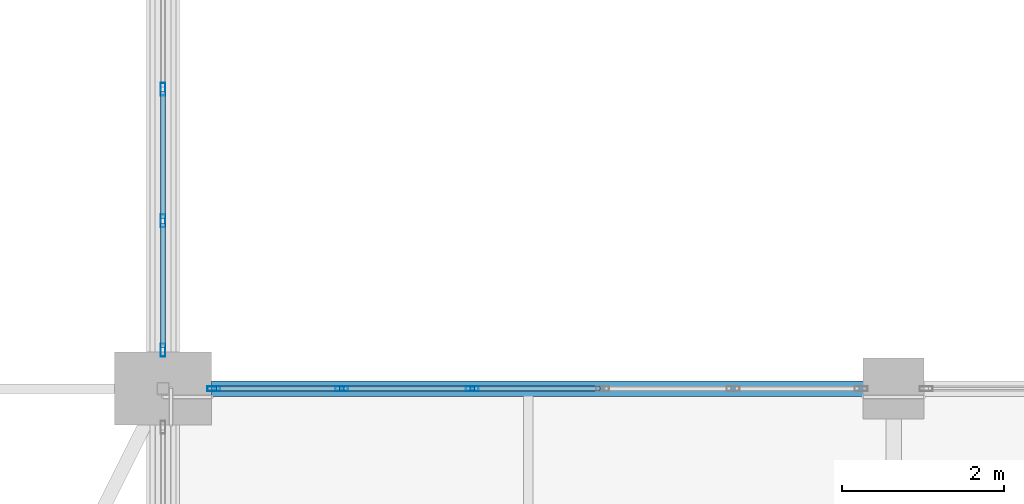
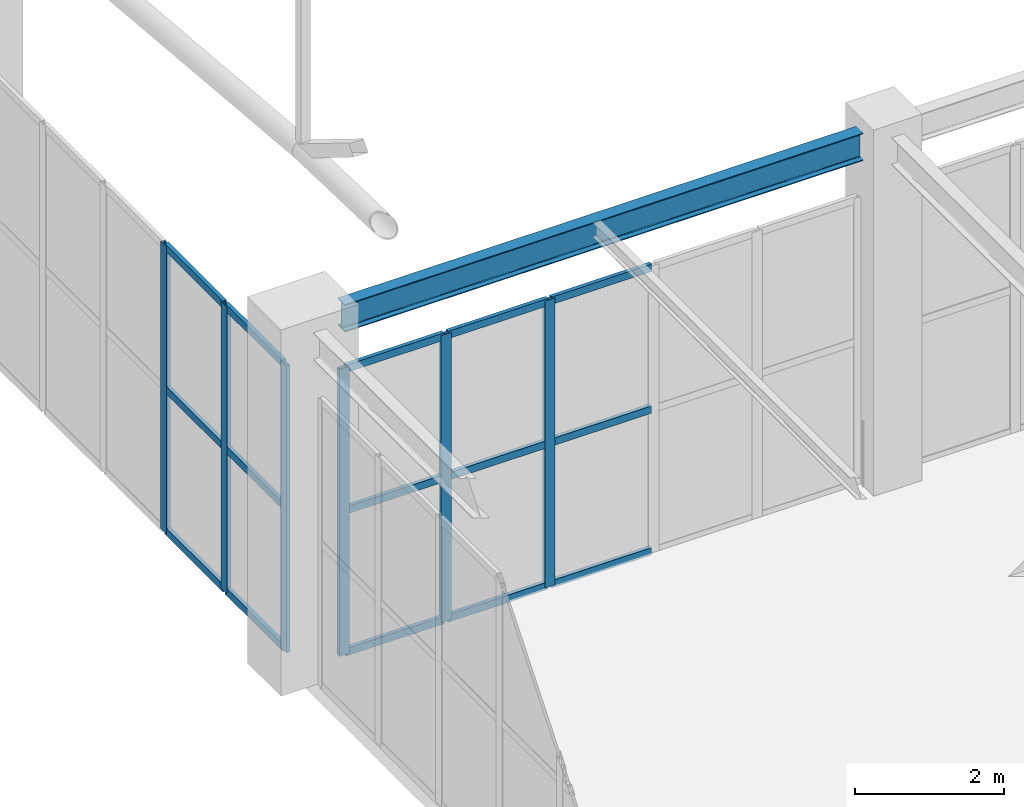
# One storey, part 152 of 223: 21 members, 1 beam, 2 elements without a shape of their own.
"""IFC4 building model written with IfcOpenShell, lengths in metres."""

from ifc_helpers import new_model, si_unit, direction, frame, origin, origin_2d, place, context, subcontext, project, spatial, hollow_rectangle, i_section, extrude, material, layer, layer_set, material_profile, profile_set, type_object, element, aggregate, save


model = new_model("IFC4")

# Units and contexts
model_context = context("Model", 3, precision=1e-05, world=origin(), true_north=direction((0.0, 1.0)))
body_context = subcontext(model_context, "Body", "Model", "MODEL_VIEW")
ifc_project = project(units=[si_unit("LENGTHUNIT", "METRE"), si_unit("AREAUNIT", "SQUARE_METRE"), si_unit("VOLUMEUNIT", "CUBIC_METRE"), si_unit("PLANEANGLEUNIT", "RADIAN"), si_unit("MASSUNIT", "GRAM", prefix="KILO")], contexts=[model_context])

# Site, building, storey
site_placement = place(None, origin())
site = spatial("IfcSite", under=ifc_project, at=site_placement, CompositionType="ELEMENT")
building_placement = place(site_placement, origin())
building = spatial("IfcBuilding", under=site, at=building_placement, Name="Dornveld Trade and Exhibition Forum", CompositionType="ELEMENT")
storey_placement = place(building_placement, frame((0.0, 0.0, 6.0)))
storey = spatial("IfcBuildingStorey", under=building, at=storey_placement, Name="L01", CompositionType="ELEMENT", Elevation=6.0)

# Beam
ifc_material_1 = material(Name="Steel S355J2", Category="steel")
ifc_material_profile_1 = material_profile(ifc_material_1, i_section(OverallWidth=0.18994140625, OverallDepth=0.449951171875, WebThickness=0.009521484375, FlangeThickness=0.0146484375, FilletRadius=0.02099609375, at=origin_2d()), Name="IPE 450")
ifc_profile_set_1 = profile_set([ifc_material_profile_1], Name="Steel S355J2")
beam_type = type_object("IfcBeamType", Name="BM-SEC-450", PredefinedType="BEAM", material=ifc_profile_set_1)
beam_placement = place(storey_placement, frame((171.595947265625, 144.0, 5.554931640625), z_axis=(1.0, 0.0, 0.0), x_axis=(0.0, 1.0, 0.0)))
element("IfcBeam", 1, at=beam_placement, inside=storey, type_object=beam_type, Name="L01 X-girder 1767", PredefinedType="BEAM", context=body_context, shape_type="SweptSolid", body=[
    extrude(i_section(OverallWidth=0.18994140625, OverallDepth=0.449951171875, WebThickness=0.009521484375, FlangeThickness=0.0146484375, FilletRadius=0.02099609375, at=origin_2d()), origin(), (0.0, 0.0, 1.0), 8.032958984375),
])

# Curtain wall, members
ifc_material_2 = material(Name="Dark-bronze anodised aluminium and low-E glass", Category="aluminium")
ifc_layer_1 = layer(ifc_material_2, 0.18701171875)
ifc_layer_set_1 = layer_set([ifc_layer_1], Name="Dark-bronze anodised aluminium and low-E glass")
curtain_wall_type_1 = type_object("IfcCurtainWallType", Name="CW-SYS-15", PredefinedType="USERDEFINED", material=ifc_layer_set_1)
curtain_wall_1_placement = place(storey_placement, origin())
curtain_wall_1 = element("IfcCurtainWall", 2, at=curtain_wall_1_placement, inside=storey, type_object=curtain_wall_type_1, Name="L01 unitised curtain wall 15", ObjectType="UNITISED_CURTAIN_WALL", PredefinedType="USERDEFINED")
ifc_material_3 = material(Name="Dark-bronze anodised aluminium", Category="aluminium")
ifc_material_profile_2 = material_profile(ifc_material_3, hollow_rectangle(XDim=0.06005859375, YDim=0.159912109375, WallThickness=0.00390625, at=origin_2d()), Name="RHS 160x60x4")
ifc_profile_set_2 = profile_set([ifc_material_profile_2], Name="Dark-bronze anodised aluminium")
member_type_1 = type_object("IfcMemberType", Name="CW-MUL-160", PredefinedType="MULLION", material=ifc_profile_set_2)
member_1_placement = place(storey_placement, frame((171.0, 144.47607421875, -0.00390625), z_axis=(0.0, 0.0, 1.0), x_axis=(-1.0, 0.0, 0.0)))
member_1 = element("IfcMember", 3, at=member_1_placement, type_object=member_type_1, Name="CW-15 mullion 1", PredefinedType="MULLION", context=body_context, shape_type="SweptSolid", body=[
    extrude(hollow_rectangle(XDim=0.06005859375, YDim=0.159912109375, WallThickness=0.00390625, at=origin_2d()), origin(), (0.0, 0.0, 1.0), 4.703857421875),
])
member_2_placement = place(storey_placement, frame((171.0, 146.067626953125, -0.00390625), z_axis=(0.0, 0.0, 1.0), x_axis=(-1.0, 0.0, 0.0)))
member_2 = element("IfcMember", 4, at=member_2_placement, type_object=member_type_1, Name="CW-15 mullion 2", PredefinedType="MULLION", context=body_context, shape_type="SweptSolid", body=[
    extrude(hollow_rectangle(XDim=0.06005859375, YDim=0.159912109375, WallThickness=0.00390625, at=origin_2d()), origin(), (0.0, 0.0, 1.0), 4.703857421875),
])
member_3_placement = place(storey_placement, frame((171.0, 147.689208984375, -0.00390625), z_axis=(0.0, 0.0, 1.0), x_axis=(-1.0, 0.0, 0.0)))
member_3 = element("IfcMember", 5, at=member_3_placement, type_object=member_type_1, Name="CW-15 mullion 3", PredefinedType="MULLION", context=body_context, shape_type="SweptSolid", body=[
    extrude(hollow_rectangle(XDim=0.06005859375, YDim=0.159912109375, WallThickness=0.00390625, at=origin_2d()), origin(), (0.0, 0.0, 1.0), 4.703857421875),
])

ifc_material_4 = material(Name="Dark-bronze anodised aluminium and low-E glass", Category="aluminium")
ifc_layer_2 = layer(ifc_material_4, 0.166015625)
ifc_layer_set_2 = layer_set([ifc_layer_2], Name="Dark-bronze anodised aluminium and low-E glass")
curtain_wall_type_2 = type_object("IfcCurtainWallType", Name="CW-SYS-08", PredefinedType="USERDEFINED", material=ifc_layer_set_2)
curtain_wall_2_placement = place(storey_placement, origin())
curtain_wall_2 = element("IfcCurtainWall", 6, at=curtain_wall_2_placement, inside=storey, type_object=curtain_wall_type_2, Name="L01 unitised curtain wall 152", ObjectType="UNITISED_CURTAIN_WALL", PredefinedType="USERDEFINED")
member_4_placement = place(storey_placement, frame((174.80908203125, 144.0, -0.00390625), z_axis=(0.0, 0.0, 1.0), x_axis=(0.0, -1.0, 0.0)))
member_4 = element("IfcMember", 7, at=member_4_placement, type_object=member_type_1, Name="CW-08 mullion 4", PredefinedType="MULLION", context=body_context, shape_type="SweptSolid", body=[
    extrude(hollow_rectangle(XDim=0.06005859375, YDim=0.159912109375, WallThickness=0.00390625, at=origin_2d()), origin(), (0.0, 0.0, 1.0), 4.703857421875),
])
member_5_placement = place(storey_placement, frame((173.20263671875, 144.0, -0.00390625), z_axis=(0.0, 0.0, 1.0), x_axis=(0.0, -1.0, 0.0)))
member_5 = element("IfcMember", 8, at=member_5_placement, type_object=member_type_1, Name="CW-08 mullion 5", PredefinedType="MULLION", context=body_context, shape_type="SweptSolid", body=[
    extrude(hollow_rectangle(XDim=0.06005859375, YDim=0.159912109375, WallThickness=0.00390625, at=origin_2d()), origin(), (0.0, 0.0, 1.0), 4.703857421875),
])
member_6_placement = place(storey_placement, frame((171.6259765625, 144.0, -0.00390625), z_axis=(0.0, 0.0, 1.0), x_axis=(0.0, -1.0, 0.0)))
member_6 = element("IfcMember", 9, at=member_6_placement, type_object=member_type_1, Name="CW-08 mullion 6", PredefinedType="MULLION", context=body_context, shape_type="SweptSolid", body=[
    extrude(hollow_rectangle(XDim=0.06005859375, YDim=0.159912109375, WallThickness=0.00390625, at=origin_2d()), origin(), (0.0, 0.0, 1.0), 4.703857421875),
])

# Member
ifc_material_5 = material(Name="Dark-bronze anodised aluminium", Category="aluminium")
ifc_material_profile_3 = material_profile(ifc_material_5, hollow_rectangle(XDim=0.06005859375, YDim=0.1201171875, WallThickness=0.00390625, at=origin_2d()), Name="RHS 120x60x4")
ifc_profile_set_3 = profile_set([ifc_material_profile_3], Name="Dark-bronze anodised aluminium")
member_type_2 = type_object("IfcMemberType", Name="CW-TRN-120", PredefinedType="USERDEFINED", material=ifc_profile_set_3)
member_7_placement = place(storey_placement, frame((171.0, 144.506103515625, 0.02587890625), z_axis=(0.0, 1.0, 0.0), x_axis=(-1.0, 0.0, 0.0)))
member_7 = element("IfcMember", 10, at=member_7_placement, type_object=member_type_2, Name="CW-15 transom 1.1", ObjectType="TRANSOM", PredefinedType="USERDEFINED", context=body_context, shape_type="SweptSolid", body=[
    extrude(hollow_rectangle(XDim=0.06005859375, YDim=0.1201171875, WallThickness=0.00390625, at=origin_2d()), origin(), (0.0, 0.0, 1.0), 1.531494140625),
])

member_8_placement = place(storey_placement, frame((171.0, 144.506103515625, 2.347900390625), z_axis=(0.0, 1.0, 0.0), x_axis=(-1.0, 0.0, 0.0)))
member_8 = element("IfcMember", 11, at=member_8_placement, type_object=member_type_2, Name="CW-15 transom 1.2", ObjectType="TRANSOM", PredefinedType="USERDEFINED", context=body_context, shape_type="SweptSolid", body=[
    extrude(hollow_rectangle(XDim=0.06005859375, YDim=0.1201171875, WallThickness=0.00390625, at=origin_2d()), origin(), (0.0, 0.0, 1.0), 1.531494140625),
])

member_9_placement = place(storey_placement, frame((171.0, 144.506103515625, 4.669921875), z_axis=(0.0, 1.0, 0.0), x_axis=(-1.0, 0.0, 0.0)))
member_9 = element("IfcMember", 12, at=member_9_placement, type_object=member_type_2, Name="CW-15 transom 1.3", ObjectType="TRANSOM", PredefinedType="USERDEFINED", context=body_context, shape_type="SweptSolid", body=[
    extrude(hollow_rectangle(XDim=0.06005859375, YDim=0.1201171875, WallThickness=0.00390625, at=origin_2d()), origin(), (0.0, 0.0, 1.0), 1.531494140625),
])

member_10_placement = place(storey_placement, frame((171.0, 146.09765625, 0.02587890625), z_axis=(0.0, 1.0, 0.0), x_axis=(-1.0, 0.0, 0.0)))
member_10 = element("IfcMember", 13, at=member_10_placement, type_object=member_type_2, Name="CW-15 transom 2.1", ObjectType="TRANSOM", PredefinedType="USERDEFINED", context=body_context, shape_type="SweptSolid", body=[
    extrude(hollow_rectangle(XDim=0.06005859375, YDim=0.1201171875, WallThickness=0.00390625, at=origin_2d()), origin(), (0.0, 0.0, 1.0), 1.5615234375),
])

member_11_placement = place(storey_placement, frame((171.0, 146.09765625, 2.347900390625), z_axis=(0.0, 1.0, 0.0), x_axis=(-1.0, 0.0, 0.0)))
member_11 = element("IfcMember", 14, at=member_11_placement, type_object=member_type_2, Name="CW-15 transom 2.2", ObjectType="TRANSOM", PredefinedType="USERDEFINED", context=body_context, shape_type="SweptSolid", body=[
    extrude(hollow_rectangle(XDim=0.06005859375, YDim=0.1201171875, WallThickness=0.00390625, at=origin_2d()), origin(), (0.0, 0.0, 1.0), 1.5615234375),
])

member_12_placement = place(storey_placement, frame((171.0, 146.09765625, 4.669921875), z_axis=(0.0, 1.0, 0.0), x_axis=(-1.0, 0.0, 0.0)))
member_12 = element("IfcMember", 15, at=member_12_placement, type_object=member_type_2, Name="CW-15 transom 2.3", ObjectType="TRANSOM", PredefinedType="USERDEFINED", context=body_context, shape_type="SweptSolid", body=[
    extrude(hollow_rectangle(XDim=0.06005859375, YDim=0.1201171875, WallThickness=0.00390625, at=origin_2d()), origin(), (0.0, 0.0, 1.0), 1.5615234375),
])

aggregate(curtain_wall_1, [member_1, member_2, member_3, member_7, member_8, member_9, member_10, member_11, member_12])

member_13_placement = place(storey_placement, frame((176.3857421875, 144.0, 0.02587890625), z_axis=(-1.0, 0.0, 0.0), x_axis=(0.0, -1.0, 0.0)))
member_13 = element("IfcMember", 16, at=member_13_placement, type_object=member_type_2, Name="CW-08 transom 3.1", ObjectType="TRANSOM", PredefinedType="USERDEFINED", context=body_context, shape_type="SweptSolid", body=[
    extrude(hollow_rectangle(XDim=0.06005859375, YDim=0.1201171875, WallThickness=0.00390625, at=origin_2d()), origin(), (0.0, 0.0, 1.0), 1.546630859375),
])

member_14_placement = place(storey_placement, frame((176.3857421875, 144.0, 2.347900390625), z_axis=(-1.0, 0.0, 0.0), x_axis=(0.0, -1.0, 0.0)))
member_14 = element("IfcMember", 17, at=member_14_placement, type_object=member_type_2, Name="CW-08 transom 3.2", ObjectType="TRANSOM", PredefinedType="USERDEFINED", context=body_context, shape_type="SweptSolid", body=[
    extrude(hollow_rectangle(XDim=0.06005859375, YDim=0.1201171875, WallThickness=0.00390625, at=origin_2d()), origin(), (0.0, 0.0, 1.0), 1.546630859375),
])

member_15_placement = place(storey_placement, frame((176.3857421875, 144.0, 4.669921875), z_axis=(-1.0, 0.0, 0.0), x_axis=(0.0, -1.0, 0.0)))
member_15 = element("IfcMember", 18, at=member_15_placement, type_object=member_type_2, Name="CW-08 transom 3.3", ObjectType="TRANSOM", PredefinedType="USERDEFINED", context=body_context, shape_type="SweptSolid", body=[
    extrude(hollow_rectangle(XDim=0.06005859375, YDim=0.1201171875, WallThickness=0.00390625, at=origin_2d()), origin(), (0.0, 0.0, 1.0), 1.546630859375),
])

member_16_placement = place(storey_placement, frame((174.779296875, 144.0, 0.02587890625), z_axis=(-1.0, 0.0, 0.0), x_axis=(0.0, -1.0, 0.0)))
member_16 = element("IfcMember", 19, at=member_16_placement, type_object=member_type_2, Name="CW-08 transom 4.1", ObjectType="TRANSOM", PredefinedType="USERDEFINED", context=body_context, shape_type="SweptSolid", body=[
    extrude(hollow_rectangle(XDim=0.06005859375, YDim=0.1201171875, WallThickness=0.00390625, at=origin_2d()), origin(), (0.0, 0.0, 1.0), 1.546630859375),
])

member_17_placement = place(storey_placement, frame((174.779296875, 144.0, 2.347900390625), z_axis=(-1.0, 0.0, 0.0), x_axis=(0.0, -1.0, 0.0)))
member_17 = element("IfcMember", 20, at=member_17_placement, type_object=member_type_2, Name="CW-08 transom 4.2", ObjectType="TRANSOM", PredefinedType="USERDEFINED", context=body_context, shape_type="SweptSolid", body=[
    extrude(hollow_rectangle(XDim=0.06005859375, YDim=0.1201171875, WallThickness=0.00390625, at=origin_2d()), origin(), (0.0, 0.0, 1.0), 1.546630859375),
])

member_18_placement = place(storey_placement, frame((174.779296875, 144.0, 4.669921875), z_axis=(-1.0, 0.0, 0.0), x_axis=(0.0, -1.0, 0.0)))
member_18 = element("IfcMember", 21, at=member_18_placement, type_object=member_type_2, Name="CW-08 transom 4.3", ObjectType="TRANSOM", PredefinedType="USERDEFINED", context=body_context, shape_type="SweptSolid", body=[
    extrude(hollow_rectangle(XDim=0.06005859375, YDim=0.1201171875, WallThickness=0.00390625, at=origin_2d()), origin(), (0.0, 0.0, 1.0), 1.546630859375),
])

member_19_placement = place(storey_placement, frame((173.172607421875, 144.0, 0.02587890625), z_axis=(-1.0, 0.0, 0.0), x_axis=(0.0, -1.0, 0.0)))
member_19 = element("IfcMember", 22, at=member_19_placement, type_object=member_type_2, Name="CW-08 transom 5.1", ObjectType="TRANSOM", PredefinedType="USERDEFINED", context=body_context, shape_type="SweptSolid", body=[
    extrude(hollow_rectangle(XDim=0.06005859375, YDim=0.1201171875, WallThickness=0.00390625, at=origin_2d()), origin(), (0.0, 0.0, 1.0), 1.5166015625),
])

member_20_placement = place(storey_placement, frame((173.172607421875, 144.0, 2.347900390625), z_axis=(-1.0, 0.0, 0.0), x_axis=(0.0, -1.0, 0.0)))
member_20 = element("IfcMember", 23, at=member_20_placement, type_object=member_type_2, Name="CW-08 transom 5.2", ObjectType="TRANSOM", PredefinedType="USERDEFINED", context=body_context, shape_type="SweptSolid", body=[
    extrude(hollow_rectangle(XDim=0.06005859375, YDim=0.1201171875, WallThickness=0.00390625, at=origin_2d()), origin(), (0.0, 0.0, 1.0), 1.5166015625),
])

member_21_placement = place(storey_placement, frame((173.172607421875, 144.0, 4.669921875), z_axis=(-1.0, 0.0, 0.0), x_axis=(0.0, -1.0, 0.0)))
member_21 = element("IfcMember", 24, at=member_21_placement, type_object=member_type_2, Name="CW-08 transom 5.3", ObjectType="TRANSOM", PredefinedType="USERDEFINED", context=body_context, shape_type="SweptSolid", body=[
    extrude(hollow_rectangle(XDim=0.06005859375, YDim=0.1201171875, WallThickness=0.00390625, at=origin_2d()), origin(), (0.0, 0.0, 1.0), 1.5166015625),
])

aggregate(curtain_wall_2, [member_4, member_5, member_6, member_13, member_14, member_15, member_16, member_17, member_18, member_19, member_20, member_21])

save(model, "model.ifc")
